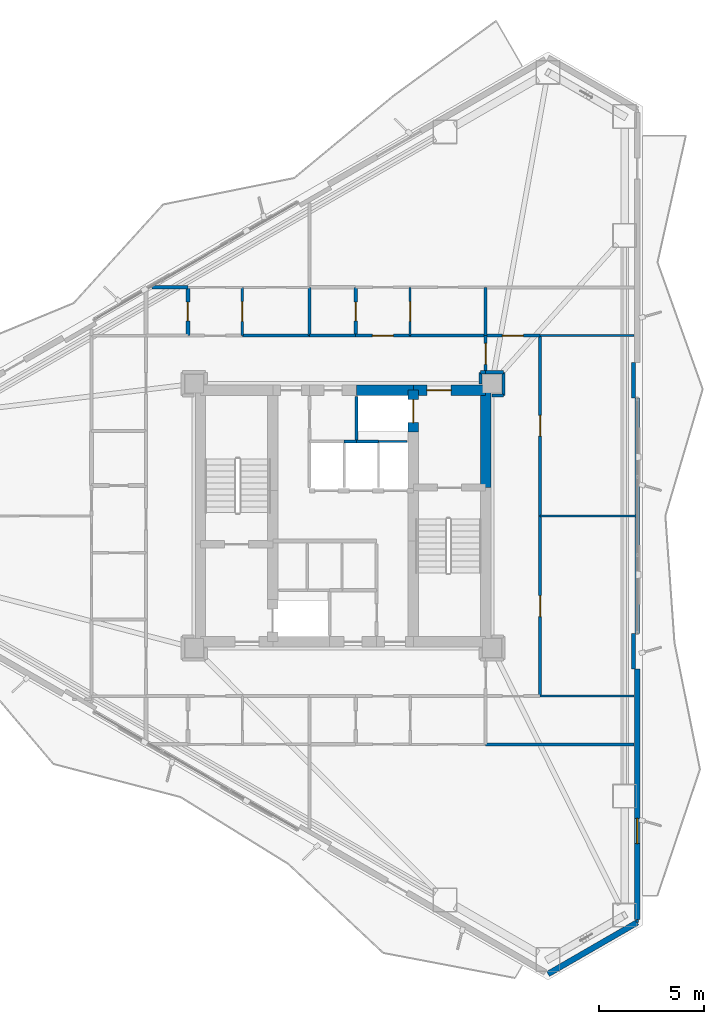
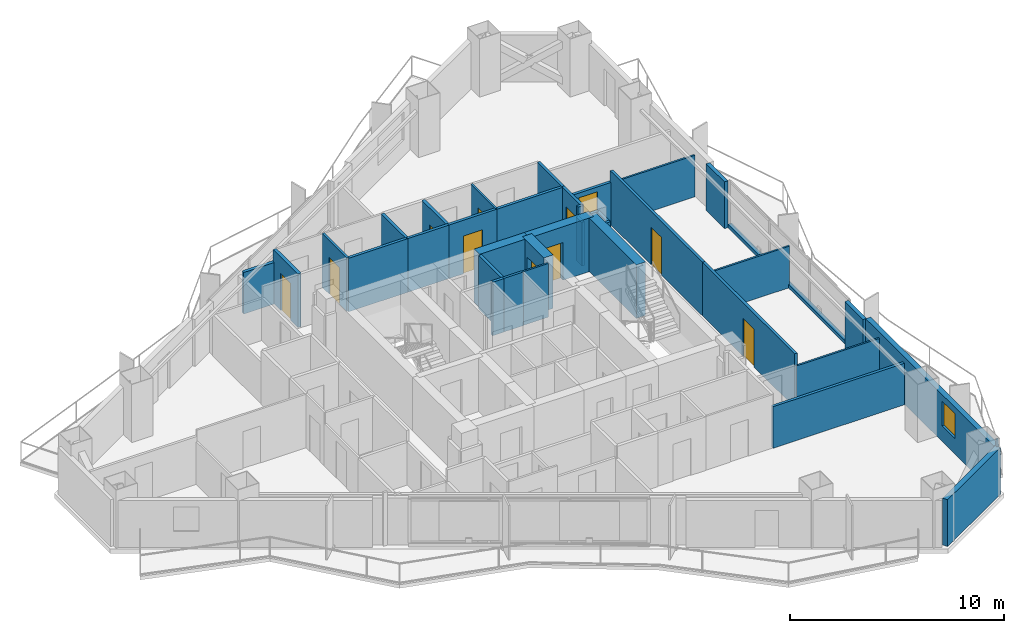
# One storey, part 19 of 23: 38 walls, 11 doors, 1 window, 12 openings.
"""IFC4 building model written with IfcOpenShell, lengths in metres."""

from ifc_helpers import new_model, si_unit, direction, frame, frame_2d, origin, place, context, subcontext, project, spatial, rectangle, extrude, material, layer, layer_set, type_object, element, fill, save


model = new_model("IFC4")

# Units and contexts
model_context = context("Model", 3, precision=1e-05, world=origin(), true_north=direction((0.0, 1.0)))
body_context = subcontext(model_context, "Body", "Model", "MODEL_VIEW")
ifc_project = project(units=[si_unit("LENGTHUNIT", "METRE"), si_unit("AREAUNIT", "SQUARE_METRE"), si_unit("VOLUMEUNIT", "CUBIC_METRE"), si_unit("PLANEANGLEUNIT", "RADIAN"), si_unit("MASSUNIT", "GRAM", prefix="KILO")], contexts=[model_context])

# Site, building, storey
site_placement = place(None, origin())
site = spatial("IfcSite", under=ifc_project, at=site_placement, CompositionType="ELEMENT")
building_placement = place(site_placement, origin())
building = spatial("IfcBuilding", under=site, at=building_placement, Name="Mersakhor Tower and Convention Hall", CompositionType="ELEMENT")
storey_placement = place(building_placement, frame((0.0, 0.0, 93.300048828125)))
storey = spatial("IfcBuildingStorey", under=building, at=storey_placement, Name="L25", CompositionType="ELEMENT", Elevation=93.300048828125)

# Wall
ifc_material_1 = material(Name="Precast concrete C45/55", Category="concrete")
ifc_layer_1 = layer(ifc_material_1, 0.27490234375)
ifc_layer_set_1 = layer_set([ifc_layer_1], Name="Precast concrete C45/55")
wall_type_1 = type_object("IfcWallType", Name="WL-EXT-275", PredefinedType="SOLIDWALL", material=ifc_layer_set_1)
wall_1_placement = place(storey_placement, frame((43.03466796875, 7.355712890625, 0.0), z_axis=(0.0, 0.0, 1.0), x_axis=(-0.866011848704, -0.500023477353, 0.0)))
element("IfcWall", 1, at=wall_1_placement, inside=storey, type_object=wall_type_1, Name="L25 Chamfer Braced Spandrel Wall C2", PredefinedType="SOLIDWALL", context=body_context, shape_type="SweptSolid", body=[
    extrude(rectangle(XDim=4.914306640625, YDim=0.27490234375, at=frame_2d((2.45703125, 0.0))), origin(), (0.0, 0.0, 1.0), 2.669921875),
])

# Wall, opening, window
wall_2_placement = place(storey_placement, frame((43.03466796875, 19.435302734375, 0.0), z_axis=(0.0, 0.0, 1.0), x_axis=(0.0, -1.0, 0.0)))
wall_2 = element("IfcWall", 2, at=wall_2_placement, inside=storey, type_object=wall_type_1, Name="L25 Exterior Facade Wall F2-B3", PredefinedType="SOLIDWALL", context=body_context, shape_type="SweptSolid", body=[
    extrude(rectangle(XDim=11.9296875, YDim=0.27490234375, at=frame_2d((5.96484375, 0.0))), origin(), (0.0, 0.0, 1.0), 2.669921875),
])
opening_1_placement = place(wall_2_placement, frame((7.118896484375, 0.0, 0.89990234375)))
opening_1 = element("IfcOpeningElement", 3, at=opening_1_placement, cuts=wall_2, Name="Opening W-01", PredefinedType="OPENING", context=body_context, shape_type="SweptSolid", body=[
    extrude(rectangle(XDim=1.199951171875, YDim=1.39990234375, at=frame_2d((0.60009765625, 0.699951171875))), frame((0.0, 0.1474609375, 0.0), z_axis=(0.0, -1.0, 0.0), x_axis=(1.0, 0.0, 0.0)), (0.0, 0.0, 1.0), 0.294921875),
])
ifc_material_2 = material(Name="Dark solar low-E glazed aluminium window", Category="aluminium")
window_type = type_object("IfcWindowType", Name="WN-RES-120x150", PartitioningType="SINGLE_PANEL", PredefinedType="WINDOW", material=ifc_material_2)
window_placement = place(opening_1_placement, origin())
window = element("IfcWindow", 4, at=window_placement, inside=storey, type_object=window_type, Name="L25 Bedroom Facade Window F2-B3-1", OverallHeight=1.39990234375, OverallWidth=1.199951171875, PartitioningType="SINGLE_PANEL", PredefinedType="WINDOW", context=body_context, shape_type="SweptSolid", body=[
    extrude(rectangle(XDim=1.199951171875, YDim=1.39990234375, at=frame_2d((0.60009765625, 0.699951171875))), frame((0.0, 0.030029296875, 0.0), z_axis=(0.0, -1.0, 0.0), x_axis=(1.0, 0.0, 0.0)), (0.0, 0.0, 1.0), 0.06005859375),
])
fill(opening_1, window)

# Walls
ifc_material_3 = material(Name="Precast concrete C40/50", Category="concrete")
ifc_layer_2 = layer(ifc_material_3, 0.199951171875)
ifc_layer_set_2 = layer_set([ifc_layer_2], Name="Precast concrete C40/50")
wall_type_2 = type_object("IfcWallType", Name="WL-PAR-200", PredefinedType="PARAPET", material=ifc_layer_set_2)
wall_3_placement = place(storey_placement, frame((43.03466796875, 32.36474609375, 0.0), z_axis=(0.0, 0.0, 1.0), x_axis=(0.0, -1.0, 0.0)))
element("IfcWall", 5, at=wall_3_placement, inside=storey, type_object=wall_type_2, Name="L25 Curtain Wall Upstand Sill F2-B2", PredefinedType="PARAPET", context=body_context, shape_type="SweptSolid", body=[
    extrude(rectangle(XDim=11.2294921875, YDim=0.199951171875, at=frame_2d((5.61474609375, 0.0))), origin(), (0.0, 0.0, 1.0), 0.199951171875),
])
for number, where, z_axis, x_axis, name in (
    (6, (42.8544921875, 34.064697265625, 0.0), (0.0, 0.0, 1.0), (0.0, -1.0, 0.0), "L25 Column Pier Cladding Wall F2-C1"),
    (7, (42.8544921875, 21.13525390625, 0.0), (0.0, 0.0, 1.0), (0.0, -1.0, 0.0), "L25 Column Pier Cladding Wall F2-C2"),
):
    element("IfcWall", number, at=place(storey_placement, frame(where, z_axis=z_axis, x_axis=x_axis)), inside=storey, type_object=wall_type_2, Name=name, PredefinedType="PARAPET", context=body_context, shape_type="SweptSolid", body=[
        extrude(rectangle(XDim=1.699951171875, YDim=0.199951171875, at=frame_2d((0.85009765625, 0.0))), origin(), (0.0, 0.0, 1.0), 2.669921875),
    ])

# Wall, opening, door
ifc_material_4 = material(Name="Moisture-resistant acoustic drywall studwork", Category="other")
ifc_layer_3 = layer(ifc_material_4, 0.175048828125)
ifc_layer_set_3 = layer_set([ifc_layer_3], Name="Moisture-resistant acoustic drywall studwork")
wall_type_3 = type_object("IfcWallType", Name="WL-PLM-175", PredefinedType="PLUMBINGWALL", material=ifc_layer_set_3)
wall_4_placement = place(storey_placement, frame((21.60009765625, 35.35009765625, 0.0), z_axis=(0.0, 0.0, 1.0), x_axis=(0.0, 1.0, 0.0)))
wall_4 = element("IfcWall", 8, at=wall_4_placement, inside=storey, type_object=wall_type_3, Name="L25 Interior Partition Wall P-062", PredefinedType="PLUMBINGWALL", context=body_context, shape_type="SweptSolid", body=[
    extrude(rectangle(XDim=2.2998046875, YDim=0.175048828125, at=frame_2d((1.14990234375, 0.0))), origin(), (0.0, 0.0, 1.0), 3.050048828125),
])
opening_2_placement = place(wall_4_placement, frame((0.699951171875, 0.0, 0.0)))
opening_2 = element("IfcOpeningElement", 9, at=opening_2_placement, cuts=wall_4, Name="Opening WD-01", PredefinedType="OPENING", context=body_context, shape_type="SweptSolid", body=[
    extrude(rectangle(XDim=0.89990234375, YDim=2.10009765625, at=frame_2d((0.449951171875, 1.050048828125))), frame((0.0, 0.097412109375, 0.0), z_axis=(0.0, -1.0, 0.0), x_axis=(1.0, 0.0, 0.0)), (0.0, 0.0, 1.0), 0.195068359375),
])
ifc_material_5 = material(Name="Solid-core hardwood leaf in painted steel frame", Category="steel")
door_type_1 = type_object("IfcDoorType", Name="DR-INT-WET-090x210", OperationType="NOTDEFINED", PredefinedType="DOOR", material=ifc_material_5)
door_1_placement = place(opening_2_placement, origin())
door_1 = element("IfcDoor", 10, at=door_1_placement, inside=storey, type_object=door_type_1, Name="L25 L25 Flat N1 Apartment Hall to L25 Flat N1 Bathroom Door", OperationType="SINGLE_SWING_LEFT", OverallHeight=2.10009765625, OverallWidth=0.89990234375, PredefinedType="DOOR", context=body_context, shape_type="SweptSolid", body=[
    extrude(rectangle(XDim=0.89990234375, YDim=2.10009765625, at=frame_2d((0.449951171875, 1.050048828125))), frame((0.0, 0.02490234375, 0.0), z_axis=(0.0, -1.0, 0.0), x_axis=(1.0, 0.0, 0.0)), (0.0, 0.0, 1.0), 0.050048828125),
])
fill(opening_2, door_1)

wall_5_placement = place(storey_placement, frame((29.60009765625, 35.35009765625, 0.0), z_axis=(0.0, 0.0, 1.0), x_axis=(0.0, 1.0, 0.0)))
wall_5 = element("IfcWall", 11, at=wall_5_placement, inside=storey, type_object=wall_type_3, Name="L25 Interior Partition Wall P-065", PredefinedType="PLUMBINGWALL", context=body_context, shape_type="SweptSolid", body=[
    extrude(rectangle(XDim=2.2998046875, YDim=0.175048828125, at=frame_2d((1.14990234375, 0.0))), origin(), (0.0, 0.0, 1.0), 3.050048828125),
])
opening_3_placement = place(wall_5_placement, frame((0.699951171875, 0.0, 0.0)))
opening_3 = element("IfcOpeningElement", 12, at=opening_3_placement, cuts=wall_5, Name="Opening WD-01", PredefinedType="OPENING", context=body_context, shape_type="SweptSolid", body=[
    extrude(rectangle(XDim=0.89990234375, YDim=2.10009765625, at=frame_2d((0.449951171875, 1.050048828125))), frame((0.0, 0.097412109375, 0.0), z_axis=(0.0, -1.0, 0.0), x_axis=(1.0, 0.0, 0.0)), (0.0, 0.0, 1.0), 0.195068359375),
])
door_2_placement = place(opening_3_placement, origin())
door_2 = element("IfcDoor", 13, at=door_2_placement, inside=storey, type_object=door_type_1, Name="L25 L25 Flat N2 Apartment Hall to L25 Flat N2 Bathroom Door", OperationType="SINGLE_SWING_RIGHT", OverallHeight=2.10009765625, OverallWidth=0.89990234375, PredefinedType="DOOR", context=body_context, shape_type="SweptSolid", body=[
    extrude(rectangle(XDim=0.89990234375, YDim=2.10009765625, at=frame_2d((0.449951171875, 1.050048828125))), frame((0.0, 0.02490234375, 0.0), z_axis=(0.0, -1.0, 0.0), x_axis=(1.0, 0.0, 0.0)), (0.0, 0.0, 1.0), 0.050048828125),
])
fill(opening_3, door_2)

# Walls
wall_6_placement = place(storey_placement, frame((19.87548828125, 37.64990234375, 0.0), z_axis=(0.0, 0.0, 1.0), x_axis=(1.0, 0.0, 0.0)))
element("IfcWall", 14, at=wall_6_placement, inside=storey, type_object=wall_type_3, Name="L25 Interior Partition Wall P-077", PredefinedType="PLUMBINGWALL", context=body_context, shape_type="SweptSolid", body=[
    extrude(rectangle(XDim=1.724609375, YDim=0.175048828125, at=frame_2d((0.8623046875, 0.0))), origin(), (0.0, 0.0, 1.0), 2.364990234375),
])
ifc_material_6 = material(Name="Lightweight gypsum partition", Category="other")
ifc_layer_4 = layer(ifc_material_6, 0.10009765625)
ifc_layer_set_4 = layer_set([ifc_layer_4], Name="Lightweight gypsum partition")
wall_type_4 = type_object("IfcWallType", Name="WL-PRT-100", PredefinedType="PARTITIONING", material=ifc_layer_set_4)
wall_7_placement = place(storey_placement, frame((32.050048828125, 30.300048828125, 0.0), z_axis=(0.0, 0.0, 1.0), x_axis=(-1.0, 0.0, 0.0)))
element("IfcWall", 15, at=wall_7_placement, inside=storey, type_object=wall_type_4, Name="L25 Interior Partition Wall P-004", PredefinedType="PARTITIONING", context=body_context, shape_type="SweptSolid", body=[
    extrude(rectangle(XDim=1.35009765625, YDim=0.10009765625, at=frame_2d((0.675048828125, 0.0))), origin(), (0.0, 0.0, 1.0), 3.050048828125),
])

# Wall, opening, door
wall_8_placement = place(storey_placement, frame((32.199951171875, 37.64990234375, 0.0), z_axis=(0.0, 0.0, 1.0), x_axis=(0.0, -1.0, 0.0)))
wall_8 = element("IfcWall", 16, at=wall_8_placement, inside=storey, type_object=wall_type_4, Name="L25 Interior Partition Wall P-064", PredefinedType="PARTITIONING", context=body_context, shape_type="SweptSolid", body=[
    extrude(rectangle(XDim=2.2998046875, YDim=0.10009765625, at=frame_2d((1.14990234375, 0.0))), origin(), (0.0, 0.0, 1.0), 3.050048828125),
])
opening_4_placement = place(wall_8_placement, frame((0.675048828125, 0.0, 0.0)))
opening_4 = element("IfcOpeningElement", 17, at=opening_4_placement, cuts=wall_8, Name="Opening RD-01", PredefinedType="OPENING", context=body_context, shape_type="SweptSolid", body=[
    extrude(rectangle(XDim=0.949951171875, YDim=2.10009765625, at=frame_2d((0.47509765625, 1.050048828125))), frame((0.0, 0.06005859375, 0.0), z_axis=(0.0, -1.0, 0.0), x_axis=(1.0, 0.0, 0.0)), (0.0, 0.0, 1.0), 0.1201171875),
])
ifc_material_7 = material(Name="Solid-core hardwood leaf in painted steel frame", Category="steel")
door_type_2 = type_object("IfcDoorType", Name="DR-INT-RM-095x210", OperationType="NOTDEFINED", PredefinedType="DOOR", material=ifc_material_7)
door_3_placement = place(opening_4_placement, origin())
door_3 = element("IfcDoor", 18, at=door_3_placement, inside=storey, type_object=door_type_2, Name="L25 L25 Flat N2 Apartment Hall to L25 Flat N2 Kitchen Door", OperationType="SINGLE_SWING_LEFT", OverallHeight=2.10009765625, OverallWidth=0.949951171875, PredefinedType="DOOR", context=body_context, shape_type="SweptSolid", body=[
    extrude(rectangle(XDim=0.949951171875, YDim=2.10009765625, at=frame_2d((0.47509765625, 1.050048828125))), frame((0.0, 0.02490234375, 0.0), z_axis=(0.0, -1.0, 0.0), x_axis=(1.0, 0.0, 0.0)), (0.0, 0.0, 1.0), 0.050048828125),
])
fill(opening_4, door_3)

# Walls
for number, where, z_axis, x_axis, name in (
    (19, (42.873046875, 35.35009765625, 0.0), (0.0, 0.0, 1.0), (-1.0, 0.0, 0.0), "L25 Interior Partition Wall P-094"),
    (20, (38.39990234375, 18.14990234375, 0.0), (0.0, 0.0, 1.0), (1.0, 0.0, 0.0), "L25 Interior Partition Wall P-096"),
):
    element("IfcWall", number, at=place(storey_placement, frame(where, z_axis=z_axis, x_axis=x_axis)), inside=storey, type_object=wall_type_4, Name=name, PredefinedType="PARTITIONING", context=body_context, shape_type="SweptSolid", body=[
        extrude(rectangle(XDim=4.47314453125, YDim=0.10009765625, at=frame_2d((2.236572265625, 0.0))), origin(), (0.0, 0.0, 1.0), 2.364990234375),
    ])
wall_9_placement = place(storey_placement, frame((42.99853515625, 26.75, 0.0), z_axis=(0.0, 0.0, 1.0), x_axis=(-1.0, 0.0, 0.0)))
element("IfcWall", 21, at=wall_9_placement, inside=storey, type_object=wall_type_4, Name="L25 Interior Partition Wall P-102", PredefinedType="PARTITIONING", context=body_context, shape_type="SweptSolid", body=[
    extrude(rectangle(XDim=4.5986328125, YDim=0.10009765625, at=frame_2d((2.29931640625, 0.0))), origin(), (0.0, 0.0, 1.0), 2.364990234375),
])
wall_10_placement = place(storey_placement, frame((43.034912109375, 7.505615234375, 0.0), z_axis=(0.0, 0.0, 1.0), x_axis=(0.0, -1.0, 0.0)))
element("IfcWall", 22, at=wall_10_placement, inside=storey, type_object=wall_type_4, Name="L25 Interior Partition Wall P-106", PredefinedType="PARTITIONING", context=body_context, shape_type="SweptSolid", body=[
    extrude(rectangle(XDim=0.149658203125, YDim=0.10009765625, at=frame_2d((0.07470703125, 0.0))), origin(), (0.0, 0.0, 1.0), 3.050048828125),
])
ifc_material_8 = material(Name="Gypsum board acoustic partition", Category="other")
ifc_layer_5 = layer(ifc_material_8, 0.125)
ifc_layer_set_5 = layer_set([ifc_layer_5], Name="Gypsum board acoustic partition")
wall_type_5 = type_object("IfcWallType", Name="WL-PRT-125", PredefinedType="PARTITIONING", material=ifc_layer_set_5)
wall_11_placement = place(storey_placement, frame((30.699951171875, 30.300048828125, 0.0), z_axis=(0.0, 0.0, 1.0), x_axis=(-1.0, 0.0, 0.0)))
element("IfcWall", 23, at=wall_11_placement, inside=storey, type_object=wall_type_5, Name="L25 Interior Partition Wall P-005", PredefinedType="PARTITIONING", context=body_context, shape_type="SweptSolid", body=[
    extrude(rectangle(XDim=1.050048828125, YDim=0.125, at=frame_2d((0.52490234375, 0.0))), origin(), (0.0, 0.0, 1.0), 3.050048828125),
])

# Wall, opening, door
wall_12_placement = place(storey_placement, frame((24.199951171875, 37.64990234375, 0.0), z_axis=(0.0, 0.0, 1.0), x_axis=(0.0, -1.0, 0.0)))
wall_12 = element("IfcWall", 24, at=wall_12_placement, inside=storey, type_object=wall_type_5, Name="L25 Interior Partition Wall P-061", PredefinedType="PARTITIONING", context=body_context, shape_type="SweptSolid", body=[
    extrude(rectangle(XDim=2.2998046875, YDim=0.125, at=frame_2d((1.14990234375, 0.0))), origin(), (0.0, 0.0, 1.0), 3.050048828125),
])
opening_5_placement = place(wall_12_placement, frame((0.675048828125, 0.0, 0.0)))
opening_5 = element("IfcOpeningElement", 25, at=opening_5_placement, cuts=wall_12, Name="Opening RD-01", PredefinedType="OPENING", context=body_context, shape_type="SweptSolid", body=[
    extrude(rectangle(XDim=0.949951171875, YDim=2.10009765625, at=frame_2d((0.47509765625, 1.050048828125))), frame((0.0, 0.072509765625, 0.0), z_axis=(0.0, -1.0, 0.0), x_axis=(1.0, 0.0, 0.0)), (0.0, 0.0, 1.0), 0.14501953125),
])
door_4_placement = place(opening_5_placement, origin())
door_4 = element("IfcDoor", 26, at=door_4_placement, inside=storey, type_object=door_type_2, Name="L25 L25 Flat N1 Apartment Hall to L25 Flat N1 Kitchen Door", OperationType="SINGLE_SWING_RIGHT", OverallHeight=2.10009765625, OverallWidth=0.949951171875, PredefinedType="DOOR", context=body_context, shape_type="SweptSolid", body=[
    extrude(rectangle(XDim=0.949951171875, YDim=2.10009765625, at=frame_2d((0.47509765625, 1.050048828125))), frame((0.0, 0.02490234375, 0.0), z_axis=(0.0, -1.0, 0.0), x_axis=(1.0, 0.0, 0.0)), (0.0, 0.0, 1.0), 0.050048828125),
])
fill(opening_5, door_4)

# Walls
ifc_material_9 = material(Name="Fire-rated gypsum board stud partition", Category="other")
ifc_layer_6 = layer(ifc_material_9, 0.14990234375)
ifc_layer_set_6 = layer_set([ifc_layer_6], Name="Fire-rated gypsum board stud partition")
wall_type_6 = type_object("IfcWallType", Name="WL-PRT-150", PredefinedType="PARTITIONING", material=ifc_layer_set_6)
wall_13_placement = place(storey_placement, frame((29.64990234375, 30.300048828125, 0.0), z_axis=(0.0, 0.0, 1.0), x_axis=(0.0, 1.0, 0.0)))
element("IfcWall", 27, at=wall_13_placement, inside=storey, type_object=wall_type_6, Name="L25 Interior Partition Wall P-006", PredefinedType="PARTITIONING", context=body_context, shape_type="SweptSolid", body=[
    extrude(rectangle(XDim=2.14990234375, YDim=0.14990234375, at=frame_2d((1.074951171875, 0.0))), origin(), (0.0, 0.0, 1.0), 3.050048828125),
])
wall_14_placement = place(storey_placement, frame((29.050048828125, 30.300048828125, 0.0), z_axis=(0.0, 0.0, 1.0), x_axis=(1.0, 0.0, 0.0)))
element("IfcWall", 28, at=wall_14_placement, inside=storey, type_object=wall_type_6, Name="L25 Interior Partition Wall P-015", PredefinedType="PARTITIONING", context=body_context, shape_type="SweptSolid", body=[
    extrude(rectangle(XDim=0.599853515625, YDim=0.14990234375, at=frame_2d((0.2998046875, 0.0))), origin(), (0.0, 0.0, 1.0), 3.050048828125),
])
wall_15_placement = place(storey_placement, frame((24.199951171875, 35.35009765625, 0.0), z_axis=(0.0, 0.0, 1.0), x_axis=(1.0, 0.0, 0.0)))
element("IfcWall", 29, at=wall_15_placement, inside=storey, type_object=wall_type_6, Name="L25 Interior Partition Wall P-037", PredefinedType="PARTITIONING", context=body_context, shape_type="SweptSolid", body=[
    extrude(rectangle(XDim=3.199951171875, YDim=0.14990234375, at=frame_2d((1.60009765625, 0.0))), origin(), (0.0, 0.0, 1.0), 3.050048828125),
])
wall_16_placement = place(storey_placement, frame((27.39990234375, 35.35009765625, 0.0), z_axis=(0.0, 0.0, 1.0), x_axis=(1.0, 0.0, 0.0)))
element("IfcWall", 30, at=wall_16_placement, inside=storey, type_object=wall_type_6, Name="L25 Interior Partition Wall P-038", PredefinedType="PARTITIONING", context=body_context, shape_type="SweptSolid", body=[
    extrude(rectangle(XDim=2.2001953125, YDim=0.14990234375, at=frame_2d((1.10009765625, 0.0))), origin(), (0.0, 0.0, 1.0), 3.050048828125),
])

# Wall, opening, door
wall_17_placement = place(storey_placement, frame((29.60009765625, 35.35009765625, 0.0), z_axis=(0.0, 0.0, 1.0), x_axis=(1.0, 0.0, 0.0)))
wall_17 = element("IfcWall", 31, at=wall_17_placement, inside=storey, type_object=wall_type_6, Name="L25 Interior Partition Wall P-039", PredefinedType="PARTITIONING", context=body_context, shape_type="SweptSolid", body=[
    extrude(rectangle(XDim=2.599853515625, YDim=0.14990234375, at=frame_2d((1.2998046875, 0.0))), origin(), (0.0, 0.0, 1.0), 3.050048828125),
])
opening_6_placement = place(wall_17_placement, frame((0.800048828125, 0.0, 0.0)))
opening_6 = element("IfcOpeningElement", 32, at=opening_6_placement, cuts=wall_17, Name="Opening FD-01", PredefinedType="OPENING", context=body_context, shape_type="SweptSolid", body=[
    extrude(rectangle(XDim=1.0, YDim=2.14990234375, at=frame_2d((0.5, 1.074951171875))), frame((0.0, 0.0849609375, 0.0), z_axis=(0.0, -1.0, 0.0), x_axis=(1.0, 0.0, 0.0)), (0.0, 0.0, 1.0), 0.169921875),
])
ifc_material_10 = material(Name="Fire-rated hardwood leaf and painted steel frame", Category="steel")
door_type_3 = type_object("IfcDoorType", Name="DR-INT-FLT-100x215", OperationType="NOTDEFINED", PredefinedType="DOOR", material=ifc_material_10)
door_5_placement = place(opening_6_placement, origin())
door_5 = element("IfcDoor", 33, at=door_5_placement, inside=storey, type_object=door_type_3, Name="L25 Apartment Entrance Door (Residential Ring Corridor to L25 Flat N2 Apartment Hall)", OperationType="SINGLE_SWING_LEFT", OverallHeight=2.14990234375, OverallWidth=1.0, PredefinedType="DOOR", context=body_context, shape_type="SweptSolid", body=[
    extrude(rectangle(XDim=1.0, YDim=2.14990234375, at=frame_2d((0.5, 1.074951171875))), frame((0.0, 0.02490234375, 0.0), z_axis=(0.0, -1.0, 0.0), x_axis=(1.0, 0.0, 0.0)), (0.0, 0.0, 1.0), 0.050048828125),
])
fill(opening_6, door_5)

# Wall
wall_18_placement = place(storey_placement, frame((32.199951171875, 35.35009765625, 0.0), z_axis=(0.0, 0.0, 1.0), x_axis=(1.0, 0.0, 0.0)))
element("IfcWall", 34, at=wall_18_placement, inside=storey, type_object=wall_type_6, Name="L25 Interior Partition Wall P-040", PredefinedType="PARTITIONING", context=body_context, shape_type="SweptSolid", body=[
    extrude(rectangle(XDim=3.60009765625, YDim=0.14990234375, at=frame_2d((1.800048828125, 0.0))), origin(), (0.0, 0.0, 1.0), 3.050048828125),
])

# Wall, opening, door
wall_19_placement = place(storey_placement, frame((35.800048828125, 35.35009765625, 0.0), z_axis=(0.0, 0.0, 1.0), x_axis=(0.0, -1.0, 0.0)))
wall_19 = element("IfcWall", 35, at=wall_19_placement, inside=storey, type_object=wall_type_6, Name="L25 Interior Partition Wall P-041", PredefinedType="PARTITIONING", context=body_context, shape_type="SweptSolid", body=[
    extrude(rectangle(XDim=1.75, YDim=0.14990234375, at=frame_2d((0.875, 0.0))), origin(), (0.0, 0.0, 1.0), 3.050048828125),
])
opening_7_placement = place(wall_19_placement, frame((0.375, 0.0, 0.0)))
opening_7 = element("IfcOpeningElement", 36, at=opening_7_placement, cuts=wall_19, Name="Opening FD-01", PredefinedType="OPENING", context=body_context, shape_type="SweptSolid", body=[
    extrude(rectangle(XDim=1.0, YDim=2.14990234375, at=frame_2d((0.5, 1.074951171875))), frame((0.0, 0.0849609375, 0.0), z_axis=(0.0, -1.0, 0.0), x_axis=(1.0, 0.0, 0.0)), (0.0, 0.0, 1.0), 0.169921875),
])
door_6_placement = place(opening_7_placement, origin())
door_6 = element("IfcDoor", 37, at=door_6_placement, inside=storey, type_object=door_type_3, Name="L25 Ring Corridor Fire Door", OperationType="SINGLE_SWING_LEFT", OverallHeight=2.14990234375, OverallWidth=1.0, PredefinedType="DOOR", context=body_context, shape_type="SweptSolid", body=[
    extrude(rectangle(XDim=1.0, YDim=2.14990234375, at=frame_2d((0.5, 1.074951171875))), frame((0.0, 0.02490234375, 0.0), z_axis=(0.0, -1.0, 0.0), x_axis=(1.0, 0.0, 0.0)), (0.0, 0.0, 1.0), 0.050048828125),
])
fill(opening_7, door_6)

# Walls
wall_20_placement = place(storey_placement, frame((35.800048828125, 33.60009765625, 0.0), z_axis=(0.0, 0.0, 1.0), x_axis=(-1.0, 0.0, 0.0)))
element("IfcWall", 38, at=wall_20_placement, inside=storey, type_object=wall_type_6, Name="L25 Interior Partition Wall P-042", PredefinedType="PARTITIONING", context=body_context, shape_type="SweptSolid", body=[
    extrude(rectangle(XDim=0.25, YDim=0.14990234375, at=frame_2d((0.125, 0.0))), origin(), (0.0, 0.0, 1.0), 3.050048828125),
])
wall_21_placement = place(storey_placement, frame((35.550048828125, 33.60009765625, 0.0), z_axis=(0.0, 0.0, 1.0), x_axis=(0.0, -1.0, 0.0)))
element("IfcWall", 39, at=wall_21_placement, inside=storey, type_object=wall_type_6, Name="L25 Interior Partition Wall P-043", PredefinedType="PARTITIONING", context=body_context, shape_type="SweptSolid", body=[
    extrude(rectangle(XDim=0.550048828125, YDim=0.14990234375, at=frame_2d((0.27490234375, 0.0))), origin(), (0.0, 0.0, 1.0), 2.498291015625),
])
wall_22_placement = place(storey_placement, frame((36.10009765625, 32.5, 0.0), z_axis=(0.0, 0.0, 1.0), x_axis=(1.0, 0.0, 0.0)))
element("IfcWall", 40, at=wall_22_placement, inside=storey, type_object=wall_type_6, Name="L25 Interior Partition Wall P-051", PredefinedType="PARTITIONING", context=body_context, shape_type="SweptSolid", body=[
    extrude(rectangle(XDim=0.5498046875, YDim=0.14990234375, at=frame_2d((0.27490234375, 0.0))), origin(), (0.0, 0.0, 1.0), 2.498291015625),
])
wall_23_placement = place(storey_placement, frame((36.64990234375, 32.5, 0.0), z_axis=(0.0, 0.0, 1.0), x_axis=(0.0, 1.0, 0.0)))
element("IfcWall", 41, at=wall_23_placement, inside=storey, type_object=wall_type_6, Name="L25 Interior Partition Wall P-052", PredefinedType="PARTITIONING", context=body_context, shape_type="SweptSolid", body=[
    extrude(rectangle(XDim=1.10009765625, YDim=0.14990234375, at=frame_2d((0.550048828125, 0.0))), origin(), (0.0, 0.0, 1.0), 2.4228515625),
])
wall_24_placement = place(storey_placement, frame((36.64990234375, 33.60009765625, 0.0), z_axis=(0.0, 0.0, 1.0), x_axis=(-1.0, 0.0, 0.0)))
element("IfcWall", 42, at=wall_24_placement, inside=storey, type_object=wall_type_6, Name="L25 Interior Partition Wall P-053", PredefinedType="PARTITIONING", context=body_context, shape_type="SweptSolid", body=[
    extrude(rectangle(XDim=0.849853515625, YDim=0.14990234375, at=frame_2d((0.4248046875, 0.0))), origin(), (0.0, 0.0, 1.0), 2.4228515625),
])

# Wall, opening, door
wall_25_placement = place(storey_placement, frame((35.800048828125, 35.35009765625, 0.0), z_axis=(0.0, 0.0, 1.0), x_axis=(1.0, 0.0, 0.0)))
wall_25 = element("IfcWall", 43, at=wall_25_placement, inside=storey, type_object=wall_type_6, Name="L25 Interior Partition Wall P-054", PredefinedType="PARTITIONING", context=body_context, shape_type="SweptSolid", body=[
    extrude(rectangle(XDim=2.599853515625, YDim=0.14990234375, at=frame_2d((1.2998046875, 0.0))), origin(), (0.0, 0.0, 1.0), 2.4228515625),
])
opening_8_placement = place(wall_25_placement, frame((0.800048828125, 0.0, 0.0)))
opening_8 = element("IfcOpeningElement", 44, at=opening_8_placement, cuts=wall_25, Name="Opening FD-01", PredefinedType="OPENING", context=body_context, shape_type="SweptSolid", body=[
    extrude(rectangle(XDim=1.0, YDim=2.14990234375, at=frame_2d((0.5, 1.074951171875))), frame((0.0, 0.0849609375, 0.0), z_axis=(0.0, -1.0, 0.0), x_axis=(1.0, 0.0, 0.0)), (0.0, 0.0, 1.0), 0.169921875),
])
door_7_placement = place(opening_8_placement, origin())
door_7 = element("IfcDoor", 45, at=door_7_placement, inside=storey, type_object=door_type_3, Name="L25 Residential Ring East Corridor to L25 North-East Shared Pantry Door", OperationType="SINGLE_SWING_LEFT", OverallHeight=2.14990234375, OverallWidth=1.0, PredefinedType="DOOR", context=body_context, shape_type="SweptSolid", body=[
    extrude(rectangle(XDim=1.0, YDim=2.14990234375, at=frame_2d((0.5, 1.074951171875))), frame((0.0, 0.02490234375, 0.0), z_axis=(0.0, -1.0, 0.0), x_axis=(1.0, 0.0, 0.0)), (0.0, 0.0, 1.0), 0.050048828125),
])
fill(opening_8, door_7)

wall_26_placement = place(storey_placement, frame((38.39990234375, 35.35009765625, 0.0), z_axis=(0.0, 0.0, 1.0), x_axis=(0.0, -1.0, 0.0)))
wall_26 = element("IfcWall", 46, at=wall_26_placement, inside=storey, type_object=wall_type_6, Name="L25 Interior Partition Wall P-055", PredefinedType="PARTITIONING", context=body_context, shape_type="SweptSolid", body=[
    extrude(rectangle(XDim=8.60009765625, YDim=0.14990234375, at=frame_2d((4.300048828125, 0.0))), origin(), (0.0, 0.0, 1.0), 3.050048828125),
])
opening_9_placement = place(wall_26_placement, frame((3.800048828125, 0.0, 0.0)))
opening_9 = element("IfcOpeningElement", 47, at=opening_9_placement, cuts=wall_26, Name="Opening FD-01", PredefinedType="OPENING", context=body_context, shape_type="SweptSolid", body=[
    extrude(rectangle(XDim=1.0, YDim=2.14990234375, at=frame_2d((0.5, 1.074951171875))), frame((0.0, 0.0849609375, 0.0), z_axis=(0.0, -1.0, 0.0), x_axis=(1.0, 0.0, 0.0)), (0.0, 0.0, 1.0), 0.169921875),
])
door_8_placement = place(opening_9_placement, origin())
door_8 = element("IfcDoor", 48, at=door_8_placement, inside=storey, type_object=door_type_3, Name="L25 Residential Ring East Corridor to L25 East Wing Craft Teaching Workshop Door", OperationType="SINGLE_SWING_LEFT", OverallHeight=2.14990234375, OverallWidth=1.0, PredefinedType="DOOR", context=body_context, shape_type="SweptSolid", body=[
    extrude(rectangle(XDim=1.0, YDim=2.14990234375, at=frame_2d((0.5, 1.074951171875))), frame((0.0, 0.02490234375, 0.0), z_axis=(0.0, -1.0, 0.0), x_axis=(1.0, 0.0, 0.0)), (0.0, 0.0, 1.0), 0.050048828125),
])
fill(opening_9, door_8)

wall_27_placement = place(storey_placement, frame((38.39990234375, 26.75, 0.0), z_axis=(0.0, 0.0, 1.0), x_axis=(0.0, -1.0, 0.0)))
wall_27 = element("IfcWall", 49, at=wall_27_placement, inside=storey, type_object=wall_type_6, Name="L25 Interior Partition Wall P-056", PredefinedType="PARTITIONING", context=body_context, shape_type="SweptSolid", body=[
    extrude(rectangle(XDim=8.60009765625, YDim=0.14990234375, at=frame_2d((4.300048828125, 0.0))), origin(), (0.0, 0.0, 1.0), 3.050048828125),
])
opening_10_placement = place(wall_27_placement, frame((3.800048828125, 0.0, 0.0)))
opening_10 = element("IfcOpeningElement", 50, at=opening_10_placement, cuts=wall_27, Name="Opening FD-01", PredefinedType="OPENING", context=body_context, shape_type="SweptSolid", body=[
    extrude(rectangle(XDim=1.0, YDim=2.14990234375, at=frame_2d((0.5, 1.074951171875))), frame((0.0, 0.0849609375, 0.0), z_axis=(0.0, -1.0, 0.0), x_axis=(1.0, 0.0, 0.0)), (0.0, 0.0, 1.0), 0.169921875),
])
door_9_placement = place(opening_10_placement, origin())
door_9 = element("IfcDoor", 51, at=door_9_placement, inside=storey, type_object=door_type_3, Name="L25 Residential Ring East Corridor to L25 East Wing Co-Working Office Door", OperationType="SINGLE_SWING_RIGHT", OverallHeight=2.14990234375, OverallWidth=1.0, PredefinedType="DOOR", context=body_context, shape_type="SweptSolid", body=[
    extrude(rectangle(XDim=1.0, YDim=2.14990234375, at=frame_2d((0.5, 1.074951171875))), frame((0.0, 0.02490234375, 0.0), z_axis=(0.0, -1.0, 0.0), x_axis=(1.0, 0.0, 0.0)), (0.0, 0.0, 1.0), 0.050048828125),
])
fill(opening_10, door_9)

# Walls
for number, where, z_axis, x_axis, name in (
    (52, (27.39990234375, 37.64990234375, 0.0), (0.0, 0.0, 1.0), (0.0, -1.0, 0.0), "L25 Interior Partition Wall P-079"),
    (53, (35.800048828125, 37.64990234375, 0.0), (0.0, 0.0, 1.0), (0.0, -1.0, 0.0), "L25 Interior Partition Wall P-082"),
):
    element("IfcWall", number, at=place(storey_placement, frame(where, z_axis=z_axis, x_axis=x_axis)), inside=storey, type_object=wall_type_6, Name=name, PredefinedType="PARTITIONING", context=body_context, shape_type="SweptSolid", body=[
        extrude(rectangle(XDim=2.2998046875, YDim=0.14990234375, at=frame_2d((1.14990234375, 0.0))), origin(), (0.0, 0.0, 1.0), 3.050048828125),
    ])
wall_28_placement = place(storey_placement, frame((42.873046875, 15.85009765625, 0.0), z_axis=(0.0, 0.0, 1.0), x_axis=(-1.0, 0.0, 0.0)))
element("IfcWall", 54, at=wall_28_placement, inside=storey, type_object=wall_type_6, Name="L25 Interior Partition Wall P-097", PredefinedType="PARTITIONING", context=body_context, shape_type="SweptSolid", body=[
    extrude(rectangle(XDim=7.072998046875, YDim=0.14990234375, at=frame_2d((3.53662109375, 0.0))), origin(), (0.0, 0.0, 1.0), 2.364990234375),
])
ifc_material_11 = material(Name="Concrete C70/85", Category="concrete")
ifc_layer_7 = layer(ifc_material_11, 0.5)
ifc_layer_set_7 = layer_set([ifc_layer_7], Name="Concrete C70/85")
wall_type_7 = type_object("IfcWallType", Name="WL-SHR-500", PredefinedType="SHEAR", material=ifc_layer_set_7)
wall_29_placement = place(storey_placement, frame((29.64990234375, 32.75, 0.0), z_axis=(0.0, 0.0, 1.0), x_axis=(1.0, 0.0, 0.0)))
element("IfcWall", 55, at=wall_29_placement, inside=storey, type_object=wall_type_7, Name="L25 Core Wall CW-N3", PredefinedType="SHEAR", context=body_context, shape_type="SweptSolid", body=[
    extrude(rectangle(XDim=2.7001953125, YDim=0.5, at=frame_2d((1.35009765625, 0.0))), origin(), (0.0, 0.0, 1.0), 3.050048828125),
])

# Wall, opening, door
wall_30_placement = place(storey_placement, frame((32.35009765625, 32.75, 0.0), z_axis=(0.0, 0.0, 1.0), x_axis=(1.0, 0.0, 0.0)))
wall_30 = element("IfcWall", 56, at=wall_30_placement, inside=storey, type_object=wall_type_7, Name="L25 Core Wall CW-N4", PredefinedType="SHEAR", context=body_context, shape_type="SweptSolid", body=[
    extrude(rectangle(XDim=3.449951171875, YDim=0.5, at=frame_2d((1.72509765625, 0.0))), origin(), (0.0, 0.0, 1.0), 3.050048828125),
])
opening_11_placement = place(wall_30_placement, frame((0.64990234375, 0.0, 0.0)))
opening_11 = element("IfcOpeningElement", 57, at=opening_11_placement, cuts=wall_30, Name="Opening SD-01", PredefinedType="OPENING", context=body_context, shape_type="SweptSolid", body=[
    extrude(rectangle(XDim=1.14990234375, YDim=2.14990234375, at=frame_2d((0.574951171875, 1.074951171875))), frame((0.0, 0.260009765625, 0.0), z_axis=(0.0, -1.0, 0.0), x_axis=(1.0, 0.0, 0.0)), (0.0, 0.0, 1.0), 0.52001953125),
])
ifc_material_12 = material(Name="Fire-rated hardwood leaf and painted steel frame", Category="steel")
door_type_4 = type_object("IfcDoorType", Name="DR-INT-STAIR-115x215", OperationType="NOTDEFINED", PredefinedType="DOOR", material=ifc_material_12)
door_10_placement = place(opening_11_placement, origin())
door_10 = element("IfcDoor", 58, at=door_10_placement, inside=storey, type_object=door_type_4, Name="L25 Firefighting Lobby East Fire Door", OperationType="SINGLE_SWING_RIGHT", OverallHeight=2.14990234375, OverallWidth=1.14990234375, PredefinedType="DOOR", context=body_context, shape_type="SweptSolid", body=[
    extrude(rectangle(XDim=1.14990234375, YDim=2.14990234375, at=frame_2d((0.574951171875, 1.074951171875))), frame((0.0, 0.02490234375, 0.0), z_axis=(0.0, -1.0, 0.0), x_axis=(1.0, 0.0, 0.0)), (0.0, 0.0, 1.0), 0.050048828125),
])
fill(opening_11, door_10)

# Wall
wall_31_placement = place(storey_placement, frame((35.800048828125, 32.75, 0.0), z_axis=(0.0, 0.0, 1.0), x_axis=(0.0, -1.0, 0.0)))
element("IfcWall", 59, at=wall_31_placement, inside=storey, type_object=wall_type_7, Name="L25 Core Wall CW-E1", PredefinedType="SHEAR", context=body_context, shape_type="SweptSolid", body=[
    extrude(rectangle(XDim=4.64990234375, YDim=0.5, at=frame_2d((2.324951171875, 0.0))), origin(), (0.0, 0.0, 1.0), 3.050048828125),
])

# Wall, opening, door
wall_32_placement = place(storey_placement, frame((32.35009765625, 30.75, 0.0), z_axis=(0.0, 0.0, 1.0), x_axis=(0.0, 1.0, 0.0)))
wall_32 = element("IfcWall", 60, at=wall_32_placement, inside=storey, type_object=wall_type_7, Name="L25 Core Wall CS-E-FFL", PredefinedType="SHEAR", context=body_context, shape_type="SweptSolid", body=[
    extrude(rectangle(XDim=2.0, YDim=0.5, at=frame_2d((1.0, 0.0))), origin(), (0.0, 0.0, 1.0), 3.050048828125),
])
opening_12_placement = place(wall_32_placement, frame((0.449951171875, 0.0, 0.0)))
opening_12 = element("IfcOpeningElement", 61, at=opening_12_placement, cuts=wall_32, Name="Opening LD-FFL2", PredefinedType="OPENING", context=body_context, shape_type="SweptSolid", body=[
    extrude(rectangle(XDim=1.10009765625, YDim=2.14990234375, at=frame_2d((0.550048828125, 1.074951171875))), frame((0.0, 0.260009765625, 0.0), z_axis=(0.0, -1.0, 0.0), x_axis=(1.0, 0.0, 0.0)), (0.0, 0.0, 1.0), 0.52001953125),
])
ifc_material_13 = material(Name="Fire-rated brushed stainless steel sliding landing door", Category="steel")
door_type_5 = type_object("IfcDoorType", Name="DR-LIFT-SLD-110x215", OperationType="NOTDEFINED", PredefinedType="DOOR", material=ifc_material_13)
door_11_placement = place(opening_12_placement, origin())
door_11 = element("IfcDoor", 62, at=door_11_placement, inside=storey, type_object=door_type_5, Name="L25 Firefighting Lift Landing Door LD-FFL2", OperationType="SLIDING_TO_LEFT", OverallHeight=2.14990234375, OverallWidth=1.10009765625, PredefinedType="DOOR", context=body_context, shape_type="SweptSolid", body=[
    extrude(rectangle(XDim=1.10009765625, YDim=2.14990234375, at=frame_2d((0.550048828125, 1.074951171875))), frame((0.0, 0.02490234375, 0.0), z_axis=(0.0, -1.0, 0.0), x_axis=(1.0, 0.0, 0.0)), (0.0, 0.0, 1.0), 0.050048828125),
])
fill(opening_12, door_11)

save(model, "model.ifc")
